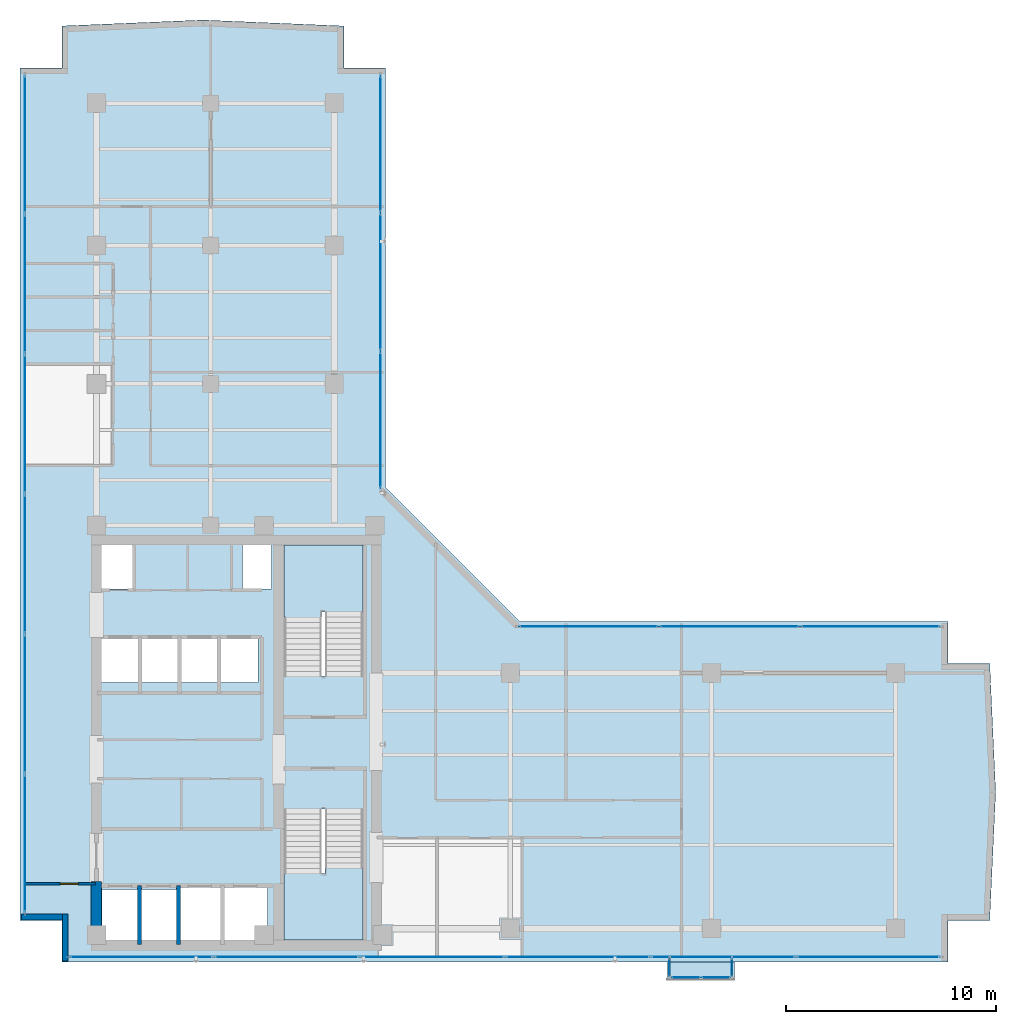
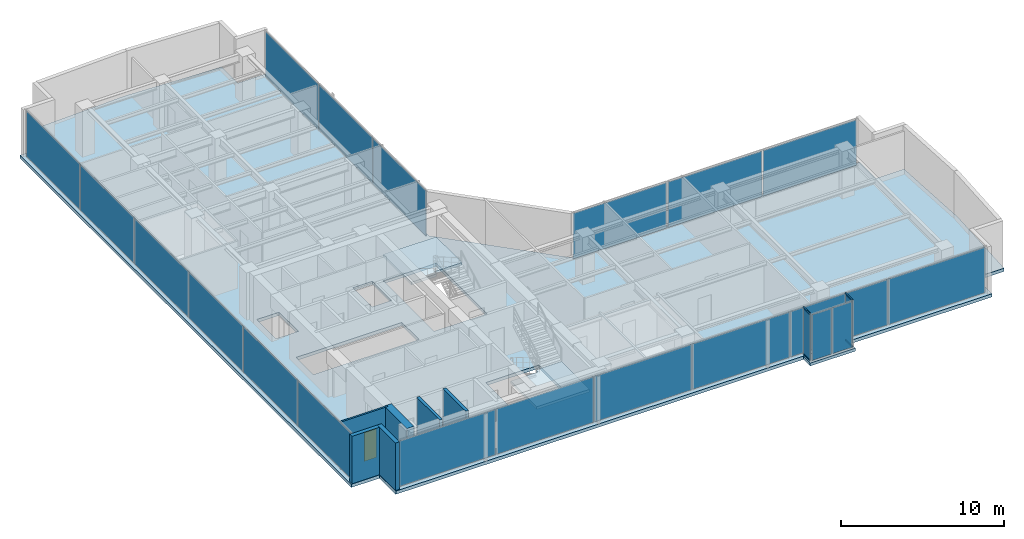
# One storey, part 16 of 24: 22 plates, 6 walls, 4 members, 4 slabs, 1 door, 1 opening, 9 elements without a shape of their own.
"""IFC4 building model written with IfcOpenShell, lengths in metres."""

from ifc_helpers import new_model, si_unit, direction, frame, frame_2d, origin, origin_with_axes, origin_2d, place, context, subcontext, project, spatial, polyline, rectangle, hollow_rectangle, outline, extrude, source, transform, mapped, material, layer, layer_set, material_profile, profile_set, type_object, element, fill, aggregate, save


model = new_model("IFC4")

# Units and contexts
model_context = context("Model", 3, precision=1e-05, world=origin(), true_north=direction((0.0, 1.0)))
body_context = subcontext(model_context, "Body", "Model", "MODEL_VIEW")
ifc_project = project(units=[si_unit("LENGTHUNIT", "METRE"), si_unit("AREAUNIT", "SQUARE_METRE"), si_unit("VOLUMEUNIT", "CUBIC_METRE"), si_unit("PLANEANGLEUNIT", "RADIAN"), si_unit("MASSUNIT", "GRAM", prefix="KILO")], contexts=[model_context])

# Site, building, storey
site_placement = place(None, origin())
site = spatial("IfcSite", under=ifc_project, at=site_placement, CompositionType="ELEMENT")
building_placement = place(site_placement, origin())
building = spatial("IfcBuilding", under=site, at=building_placement, Name="Kolvaren Waterfront Exchange", CompositionType="ELEMENT")
storey_placement = place(building_placement, frame((0.0, 0.0, 316.0)))
storey = spatial("IfcBuildingStorey", under=building, at=storey_placement, Name="L81", CompositionType="ELEMENT", Elevation=316.0)

# Curtain wall, members
ifc_material_1 = material(Name="Anodised bronze aluminium 6063-T6", Category="aluminium")
ifc_layer_1 = layer(ifc_material_1, 0.219970703125, Name="Anodised bronze aluminium 6063-T6")
ifc_layer_set_1 = layer_set([ifc_layer_1], Name="Anodised bronze aluminium 6063-T6")
curtain_wall_type_1 = type_object("IfcCurtainWallType", Name="ARC-CW-SYS3", PredefinedType="USERDEFINED", material=ifc_layer_set_1)
curtain_wall_1_placement = place(storey_placement, origin())
curtain_wall_1 = element("IfcCurtainWall", 1, at=curtain_wall_1_placement, inside=storey, type_object=curtain_wall_type_1, Name="L81 stick curtain wall CW3 (CW-L81-BOX-W)", ObjectType="STICK CURTAIN WALL", PredefinedType="USERDEFINED")
ifc_material_profile = material_profile(ifc_material_1, hollow_rectangle(XDim=0.06494140625, YDim=0.1298828125, WallThickness=0.00390625, at=origin_2d()), Name="ALU-TRN-130x65x4")
ifc_profile_set = profile_set([ifc_material_profile], Name="Anodised bronze aluminium 6063-T6")
member_type = type_object("IfcMemberType", Name="ARC-CWT-130", PredefinedType="USERDEFINED", material=ifc_profile_set)
shared_shape_1 = source(origin_with_axes(), body_context, "Body", "SweptSolid", [
    extrude(hollow_rectangle(XDim=0.06494140625, YDim=0.1298828125, WallThickness=0.00390625, at=origin_2d()), origin(), (0.0, 0.0, 1.0), 0.829833984375),
])
member_1_placement = place(storey_placement, frame((34.81005859375, 3.764892578125, 0.032470703125), z_axis=(0.0, -1.0, 0.0), x_axis=(1.0, 0.0, 0.0)))
member_1 = element("IfcMember", 2, at=member_1_placement, type_object=member_type, Name="CW3 transom 1.1", ObjectType="TRANSOM", PredefinedType="USERDEFINED", context=body_context, shape_type="MappedRepresentation", body=[
    mapped(shared_shape_1, transform((0.0, 0.0, 0.0), x_axis=(1.0, 0.0, 0.0), y_axis=(0.0, 1.0, 0.0), z_axis=(0.0, 0.0, 1.0), scale=1.0)),
])
member_2_placement = place(storey_placement, frame((34.81005859375, 3.764892578125, 3.527587890625), z_axis=(0.0, -1.0, 0.0), x_axis=(1.0, 0.0, 0.0)))
member_2 = element("IfcMember", 3, at=member_2_placement, type_object=member_type, Name="CW3 transom 1.2", ObjectType="TRANSOM", PredefinedType="USERDEFINED", context=body_context, shape_type="MappedRepresentation", body=[
    mapped(shared_shape_1, transform((0.0, 0.0, 0.0), x_axis=(1.0, 0.0, 0.0), y_axis=(0.0, 1.0, 0.0), z_axis=(0.0, 0.0, 1.0), scale=1.0)),
])

curtain_wall_2_placement = place(storey_placement, origin())
curtain_wall_2 = element("IfcCurtainWall", 4, at=curtain_wall_2_placement, inside=storey, type_object=curtain_wall_type_1, Name="L81 stick curtain wall CW3 (CW-L81-BOX-E)", ObjectType="STICK CURTAIN WALL", PredefinedType="USERDEFINED")
member_3_placement = place(storey_placement, frame((37.7900390625, 2.93505859375, 0.032470703125), z_axis=(0.0, 1.0, 0.0), x_axis=(-1.0, 0.0, 0.0)))
member_3 = element("IfcMember", 5, at=member_3_placement, type_object=member_type, Name="CW3 transom 1.1", ObjectType="TRANSOM", PredefinedType="USERDEFINED", context=body_context, shape_type="MappedRepresentation", body=[
    mapped(shared_shape_1, transform((0.0, 0.0, 0.0), x_axis=(1.0, 0.0, 0.0), y_axis=(0.0, 1.0, 0.0), z_axis=(0.0, 0.0, 1.0), scale=1.0)),
])
member_4_placement = place(storey_placement, frame((37.7900390625, 2.93505859375, 3.527587890625), z_axis=(0.0, 1.0, 0.0), x_axis=(-1.0, 0.0, 0.0)))
member_4 = element("IfcMember", 6, at=member_4_placement, type_object=member_type, Name="CW3 transom 1.2", ObjectType="TRANSOM", PredefinedType="USERDEFINED", context=body_context, shape_type="MappedRepresentation", body=[
    mapped(shared_shape_1, transform((0.0, 0.0, 0.0), x_axis=(1.0, 0.0, 0.0), y_axis=(0.0, 1.0, 0.0), z_axis=(0.0, 0.0, 1.0), scale=1.0)),
])

# Stair, slab
ifc_material_2 = material(Name="Concrete C40/50", Category="concrete")
stair_type = type_object("IfcStairType", Name="ARC-STAIR-3800", PredefinedType="HALF_TURN_STAIR", material=ifc_material_2)
stair_1_placement = place(storey_placement, origin())
stair_1 = element("IfcStair", 7, at=stair_1_placement, inside=storey, type_object=stair_type, Name="L81 Smoke-proof exit stair ST1", PredefinedType="HALF_TURN_STAIR")
ifc_layer_2 = layer(ifc_material_2, 0.199951171875, Name="Concrete C40/50")
ifc_layer_set_2 = layer_set([ifc_layer_2], Name="Concrete C40/50")
slab_type_1 = type_object("IfcSlabType", Name="STR-LANDING-200", PredefinedType="LANDING", material=ifc_layer_set_2)
slab_1_placement = place(storey_placement, frame((0.0, 0.0, 1.77587890625)))
slab_1 = element("IfcSlab", 8, at=slab_1_placement, type_object=slab_type_1, Name="ST1 landing 1", PredefinedType="LANDING", context=body_context, shape_type="SweptSolid", body=[
    extrude(outline(polyline([(16.39990234375, 7.840087890625), (16.39990234375, 4.64990234375), (20.159912109375, 4.64990234375), (20.159912109375, 8.10009765625), (18.360107421875, 8.10009765625), (18.360107421875, 7.840087890625), (16.39990234375, 7.840087890625)])), origin(), (0.0, 0.0, 1.0), 0.2001953125),
])
aggregate(stair_1, [slab_1])

stair_2_placement = place(storey_placement, origin())
stair_2 = element("IfcStair", 9, at=stair_2_placement, inside=storey, type_object=stair_type, Name="L81 Smoke-proof exit stair ST2", PredefinedType="HALF_TURN_STAIR")
slab_2_placement = place(storey_placement, frame((0.0, 0.0, 1.77587890625)))
slab_2 = element("IfcSlab", 10, at=slab_2_placement, type_object=slab_type_1, Name="ST2 landing 1", PredefinedType="LANDING", context=body_context, shape_type="SweptSolid", body=[
    extrude(outline(polyline([(20.159912109375, 20.31005859375), (20.159912109375, 23.5), (16.39990234375, 23.5), (16.39990234375, 20.050048828125), (18.199951171875, 20.050048828125), (18.199951171875, 20.31005859375), (20.159912109375, 20.31005859375)])), origin(), (0.0, 0.0, 1.0), 0.2001953125),
])
aggregate(stair_2, [slab_2])

# Slabs
ifc_layer_3 = layer(ifc_material_2, 0.239990234375, Name="Concrete C40/50")
ifc_layer_set_3 = layer_set([ifc_layer_3], Name="Concrete C40/50")
slab_type_2 = type_object("IfcSlabType", Name="STR-SLAB-240", PredefinedType="FLOOR", material=ifc_layer_set_3)
slab_3_placement = place(storey_placement, frame((0.0, 0.0, -0.239990234375)))
element("IfcSlab", 11, at=slab_3_placement, inside=storey, type_object=slab_type_2, Name="L81 structural floor slab", PredefinedType="FLOOR", context=body_context, shape_type="SweptSolid", body=[
    extrude(outline(polyline([(5.800048828125, 3.60009765625), (48.084228515625, 3.60009765625), (48.084228515625, 5.60009765625), (50.084228515625, 5.60009765625), (50.368408203125, 11.726318359375), (50.084228515625, 17.8525390625), (48.084228515625, 17.8525390625), (48.084228515625, 19.8525390625), (27.652587890625, 19.8525390625), (21.252685546875, 26.252685546875), (21.252685546875, 46.2841796875), (19.252685546875, 46.2841796875), (19.252685546875, 48.2841796875), (12.5263671875, 48.568359375), (5.800048828125, 48.2841796875), (5.800048828125, 46.2841796875), (3.800048828125, 46.2841796875), (3.800048828125, 5.60009765625), (5.800048828125, 5.60009765625), (5.800048828125, 3.60009765625)]), holes=[polyline([(11.320068359375, 7.260009765625), (15.610107421875, 7.260009765625), (15.610107421875, 4.5400390625), (7.719970703125, 4.5400390625), (7.719970703125, 7.06005859375), (11.320068359375, 7.06005859375), (11.320068359375, 7.260009765625)]), polyline([(20.159912109375, 10.89990234375), (20.159912109375, 4.64990234375), (16.39990234375, 4.64990234375), (16.39990234375, 10.89990234375), (20.159912109375, 10.89990234375)]), polyline([(7.669921875, 19.06005859375), (15.159912109375, 19.06005859375), (15.159912109375, 16.93994140625), (7.669921875, 16.93994140625), (7.669921875, 19.06005859375)]), polyline([(16.39990234375, 17.25), (16.39990234375, 23.5), (20.159912109375, 23.5), (20.159912109375, 17.25), (16.39990234375, 17.25)]), polyline([(7.60009765625, 23.780029296875), (9.179931640625, 23.780029296875), (9.179931640625, 21.419921875), (7.60009765625, 21.419921875), (7.60009765625, 23.780029296875)]), polyline([(14.419921875, 23.780029296875), (15.800048828125, 23.780029296875), (15.800048828125, 21.419921875), (14.419921875, 21.419921875), (14.419921875, 23.780029296875)])]), origin(), (0.0, 0.0, 1.0), 0.239990234375),
])
ifc_layer_4 = layer(ifc_material_2, 0.219970703125, Name="Concrete C40/50")
ifc_layer_set_4 = layer_set([ifc_layer_4], Name="Concrete C40/50")
slab_type_3 = type_object("IfcSlabType", Name="STR-TERR-220", PredefinedType="FLOOR", material=ifc_layer_set_4)
slab_4_placement = place(storey_placement, frame((0.0, 0.0, -0.219970703125)))
element("IfcSlab", 12, at=slab_4_placement, inside=storey, type_object=slab_type_3, Name="L81 projecting bay-box floor strip", PredefinedType="FLOOR", context=body_context, shape_type="SweptSolid", body=[
    extrude(outline(polyline([(34.699951171875, 2.75), (37.89990234375, 2.75), (37.89990234375, 3.60009765625), (34.699951171875, 3.60009765625), (34.699951171875, 2.75)])), origin(), (0.0, 0.0, 1.0), 0.219970703125),
])

# Plate
ifc_material_3 = material(Name="Bronze tinted bay-box vision glass", Category="aluminium")
ifc_layer_5 = layer(ifc_material_3, 0.02392578125, Name="Bronze tinted bay-box vision glass")
ifc_layer_set_5 = layer_set([ifc_layer_5], Name="Bronze tinted bay-box vision glass")
plate_type_1 = type_object("IfcPlateType", Name="ARC-CWP-24", PredefinedType="CURTAIN_PANEL", material=ifc_layer_set_5)
shared_shape_2 = source(origin_with_axes(), body_context, "Body", "SweptSolid", [
    extrude(rectangle(XDim=0.830078125, YDim=0.02392578125, at=origin_2d()), origin(), (0.0, 0.0, 1.0), 3.429931640625),
])
plate_1_placement = place(storey_placement, frame((34.81005859375, 3.35009765625, 0.06494140625), z_axis=(0.0, 0.0, 1.0), x_axis=(0.0, -1.0, 0.0)))
plate_1 = element("IfcPlate", 13, at=plate_1_placement, type_object=plate_type_1, Name="CW3 panel 1.1", PredefinedType="CURTAIN_PANEL", context=body_context, shape_type="MappedRepresentation", body=[
    mapped(shared_shape_2, transform((0.0, 0.0, 0.0), x_axis=(1.0, 0.0, 0.0), y_axis=(0.0, 1.0, 0.0), z_axis=(0.0, 0.0, 1.0), scale=1.0)),
])

aggregate(curtain_wall_1, [member_1, member_2, plate_1])

plate_2_placement = place(storey_placement, frame((37.7900390625, 3.35009765625, 0.06494140625), z_axis=(0.0, 0.0, 1.0), x_axis=(0.0, 1.0, 0.0)))
plate_2 = element("IfcPlate", 14, at=plate_2_placement, type_object=plate_type_1, Name="CW3 panel 1.1", PredefinedType="CURTAIN_PANEL", context=body_context, shape_type="MappedRepresentation", body=[
    mapped(shared_shape_2, transform((0.0, 0.0, 0.0), x_axis=(1.0, 0.0, 0.0), y_axis=(0.0, 1.0, 0.0), z_axis=(0.0, 0.0, 1.0), scale=1.0)),
])

aggregate(curtain_wall_2, [member_3, member_4, plate_2])

# Curtain wall, plates
curtain_wall_3_placement = place(storey_placement, origin())
curtain_wall_3 = element("IfcCurtainWall", 15, at=curtain_wall_3_placement, inside=storey, type_object=curtain_wall_type_1, Name="L81 stick curtain wall CW3 (CW-L81-BOX)", ObjectType="STICK CURTAIN WALL", PredefinedType="USERDEFINED")
shared_shape_3 = source(origin_with_axes(), body_context, "Body", "SweptSolid", [
    extrude(rectangle(XDim=1.37744140625, YDim=0.02392578125, at=origin_2d()), origin(), (0.0, 0.0, 1.0), 3.429931640625),
])
plate_3_placement = place(storey_placement, frame((35.57373046875, 2.860107421875, 0.06494140625), z_axis=(0.0, 0.0, 1.0), x_axis=(1.0, 0.0, 0.0)))
plate_3 = element("IfcPlate", 16, at=plate_3_placement, type_object=plate_type_1, Name="CW3 panel 1.1", PredefinedType="CURTAIN_PANEL", context=body_context, shape_type="MappedRepresentation", body=[
    mapped(shared_shape_3, transform((0.0, 0.0, 0.0), x_axis=(1.0, 0.0, 0.0), y_axis=(0.0, 1.0, 0.0), z_axis=(0.0, 0.0, 1.0), scale=1.0)),
])
plate_4_placement = place(storey_placement, frame((37.0263671875, 2.860107421875, 0.06494140625), z_axis=(0.0, 0.0, 1.0), x_axis=(1.0, 0.0, 0.0)))
plate_4 = element("IfcPlate", 17, at=plate_4_placement, type_object=plate_type_1, Name="CW3 panel 2.1", PredefinedType="CURTAIN_PANEL", context=body_context, shape_type="MappedRepresentation", body=[
    mapped(shared_shape_3, transform((0.0, 0.0, 0.0), x_axis=(1.0, 0.0, 0.0), y_axis=(0.0, 1.0, 0.0), z_axis=(0.0, 0.0, 1.0), scale=1.0)),
])
aggregate(curtain_wall_3, [plate_3, plate_4])

ifc_layer_6 = layer(ifc_material_1, 0.219970703125, Name="Anodised bronze aluminium 6063-T6")
ifc_layer_set_6 = layer_set([ifc_layer_6], Name="Anodised bronze aluminium 6063-T6")
curtain_wall_type_2 = type_object("IfcCurtainWallType", Name="ARC-CW-SYS1", PredefinedType="USERDEFINED", material=ifc_layer_set_6)
curtain_wall_4_placement = place(storey_placement, origin())
curtain_wall_4 = element("IfcCurtainWall", 18, at=curtain_wall_4_placement, inside=storey, type_object=curtain_wall_type_2, Name="L81 stick curtain wall CW1 (CW-L81-S)", ObjectType="STICK CURTAIN WALL", PredefinedType="USERDEFINED")
ifc_material_4 = material(Name="Bronze solar control vision glass", Category="aluminium")
ifc_layer_7 = layer(ifc_material_4, 0.028076171875, Name="Bronze solar control vision glass")
ifc_layer_set_7 = layer_set([ifc_layer_7], Name="Bronze solar control vision glass")
plate_type_2 = type_object("IfcPlateType", Name="ARC-CWP-28", PredefinedType="CURTAIN_PANEL", material=ifc_layer_set_7)
shared_shape_4 = source(origin_with_axes(), body_context, "Body", "SweptSolid", [
    extrude(rectangle(XDim=6.827392578125, YDim=0.028076171875, at=origin_2d()), origin(), (0.0, 0.0, 1.0), 3.409912109375),
])
plate_5_placement = place(storey_placement, frame((9.59375, 3.840087890625, 0.0751953125), z_axis=(0.0, 0.0, 1.0), x_axis=(1.0, 0.0, 0.0)))
plate_5 = element("IfcPlate", 19, at=plate_5_placement, type_object=plate_type_2, Name="CW1 panel 1.1", PredefinedType="CURTAIN_PANEL", context=body_context, shape_type="MappedRepresentation", body=[
    mapped(shared_shape_4, transform((0.0, 0.0, 0.0), x_axis=(1.0, 0.0, 0.0), y_axis=(0.0, 1.0, 0.0), z_axis=(0.0, 0.0, 1.0), scale=1.0)),
])
plate_6_placement = place(storey_placement, frame((44.29052734375, 3.840087890625, 0.0751953125), z_axis=(0.0, 0.0, 1.0), x_axis=(1.0, 0.0, 0.0)))
plate_6 = element("IfcPlate", 20, at=plate_6_placement, type_object=plate_type_2, Name="CW1 panel 6.1", PredefinedType="CURTAIN_PANEL", context=body_context, shape_type="MappedRepresentation", body=[
    mapped(shared_shape_4, transform((0.0, 0.0, 0.0), x_axis=(1.0, 0.0, 0.0), y_axis=(0.0, 1.0, 0.0), z_axis=(0.0, 0.0, 1.0), scale=1.0)),
])
shared_shape_5 = source(origin_with_axes(), body_context, "Body", "SweptSolid", [
    extrude(rectangle(XDim=6.867431640625, YDim=0.028076171875, at=origin_2d()), origin(), (0.0, 0.0, 1.0), 3.409912109375),
])
plate_7_placement = place(storey_placement, frame((16.52099609375, 3.840087890625, 0.0751953125), z_axis=(0.0, 0.0, 1.0), x_axis=(1.0, 0.0, 0.0)))
plate_7 = element("IfcPlate", 21, at=plate_7_placement, type_object=plate_type_2, Name="CW1 panel 2.1", PredefinedType="CURTAIN_PANEL", context=body_context, shape_type="MappedRepresentation", body=[
    mapped(shared_shape_5, transform((0.0, 0.0, 0.0), x_axis=(1.0, 0.0, 0.0), y_axis=(0.0, 1.0, 0.0), z_axis=(0.0, 0.0, 1.0), scale=1.0)),
])
plate_8_placement = place(storey_placement, frame((23.468505859375, 3.840087890625, 0.0751953125), z_axis=(0.0, 0.0, 1.0), x_axis=(1.0, 0.0, 0.0)))
plate_8 = element("IfcPlate", 22, at=plate_8_placement, type_object=plate_type_2, Name="CW1 panel 3.1", PredefinedType="CURTAIN_PANEL", context=body_context, shape_type="MappedRepresentation", body=[
    mapped(shared_shape_5, transform((0.0, 0.0, 0.0), x_axis=(1.0, 0.0, 0.0), y_axis=(0.0, 1.0, 0.0), z_axis=(0.0, 0.0, 1.0), scale=1.0)),
])
plate_9_placement = place(storey_placement, frame((30.415771484375, 3.840087890625, 0.0751953125), z_axis=(0.0, 0.0, 1.0), x_axis=(1.0, 0.0, 0.0)))
plate_9 = element("IfcPlate", 23, at=plate_9_placement, type_object=plate_type_2, Name="CW1 panel 4.1", PredefinedType="CURTAIN_PANEL", context=body_context, shape_type="MappedRepresentation", body=[
    mapped(shared_shape_5, transform((0.0, 0.0, 0.0), x_axis=(1.0, 0.0, 0.0), y_axis=(0.0, 1.0, 0.0), z_axis=(0.0, 0.0, 1.0), scale=1.0)),
])
plate_10_placement = place(storey_placement, frame((37.363037109375, 3.840087890625, 0.0751953125), z_axis=(0.0, 0.0, 1.0), x_axis=(1.0, 0.0, 0.0)))
plate_10 = element("IfcPlate", 24, at=plate_10_placement, type_object=plate_type_2, Name="CW1 panel 5.1", PredefinedType="CURTAIN_PANEL", context=body_context, shape_type="MappedRepresentation", body=[
    mapped(shared_shape_5, transform((0.0, 0.0, 0.0), x_axis=(1.0, 0.0, 0.0), y_axis=(0.0, 1.0, 0.0), z_axis=(0.0, 0.0, 1.0), scale=1.0)),
])
aggregate(curtain_wall_4, [plate_5, plate_7, plate_8, plate_9, plate_10, plate_6])

ifc_material_5 = material(Name="Anodised aluminium 6063-T6", Category="aluminium")
ifc_layer_8 = layer(ifc_material_5, 0.219970703125, Name="Anodised aluminium 6063-T6")
ifc_layer_set_8 = layer_set([ifc_layer_8], Name="Anodised aluminium 6063-T6")
curtain_wall_type_3 = type_object("IfcCurtainWallType", Name="ARC-CW-SYS2", PredefinedType="USERDEFINED", material=ifc_layer_set_8)
curtain_wall_5_placement = place(storey_placement, origin())
curtain_wall_5 = element("IfcCurtainWall", 25, at=curtain_wall_5_placement, inside=storey, type_object=curtain_wall_type_3, Name="L81 stick curtain wall CW2 (CW-L81-W)", ObjectType="STICK CURTAIN WALL", PredefinedType="USERDEFINED")
ifc_material_6 = material(Name="Acoustic laminated vision glass", Category="glass")
ifc_layer_9 = layer(ifc_material_6, 0.031982421875, Name="Acoustic laminated vision glass")
ifc_layer_set_9 = layer_set([ifc_layer_9], Name="Acoustic laminated vision glass")
plate_type_3 = type_object("IfcPlateType", Name="ARC-CWP-32", PredefinedType="CURTAIN_PANEL", material=ifc_layer_set_9)
shared_shape_6 = source(origin_with_axes(), body_context, "Body", "SweptSolid", [
    extrude(rectangle(XDim=6.560791015625, YDim=0.031982421875, at=origin_2d()), origin(), (0.0, 0.0, 1.0), 3.409912109375),
])
plate_11_placement = place(storey_placement, frame((4.0400390625, 9.26025390625, 0.0751953125), z_axis=(0.0, 0.0, 1.0), x_axis=(0.0, 1.0, 0.0)))
plate_11 = element("IfcPlate", 26, at=plate_11_placement, type_object=plate_type_3, Name="CW2 panel 1.1", PredefinedType="CURTAIN_PANEL", context=body_context, shape_type="MappedRepresentation", body=[
    mapped(shared_shape_6, transform((0.0, 0.0, 0.0), x_axis=(1.0, 0.0, 0.0), y_axis=(0.0, 1.0, 0.0), z_axis=(0.0, 0.0, 1.0), scale=1.0)),
])
plate_12_placement = place(storey_placement, frame((4.0400390625, 42.623779296875, 0.0751953125), z_axis=(0.0, 0.0, 1.0), x_axis=(0.0, 1.0, 0.0)))
plate_12 = element("IfcPlate", 27, at=plate_12_placement, type_object=plate_type_3, Name="CW2 panel 6.1", PredefinedType="CURTAIN_PANEL", context=body_context, shape_type="MappedRepresentation", body=[
    mapped(shared_shape_6, transform((0.0, 0.0, 0.0), x_axis=(1.0, 0.0, 0.0), y_axis=(0.0, 1.0, 0.0), z_axis=(0.0, 0.0, 1.0), scale=1.0)),
])
shared_shape_7 = source(origin_with_axes(), body_context, "Body", "SweptSolid", [
    extrude(rectangle(XDim=6.6005859375, YDim=0.031982421875, at=origin_2d()), origin(), (0.0, 0.0, 1.0), 3.409912109375),
])
plate_13_placement = place(storey_placement, frame((4.0400390625, 15.921142578125, 0.0751953125), z_axis=(0.0, 0.0, 1.0), x_axis=(0.0, 1.0, 0.0)))
plate_13 = element("IfcPlate", 28, at=plate_13_placement, type_object=plate_type_3, Name="CW2 panel 2.1", PredefinedType="CURTAIN_PANEL", context=body_context, shape_type="MappedRepresentation", body=[
    mapped(shared_shape_7, transform((0.0, 0.0, 0.0), x_axis=(1.0, 0.0, 0.0), y_axis=(0.0, 1.0, 0.0), z_axis=(0.0, 0.0, 1.0), scale=1.0)),
])
plate_14_placement = place(storey_placement, frame((4.0400390625, 22.601806640625, 0.0751953125), z_axis=(0.0, 0.0, 1.0), x_axis=(0.0, 1.0, 0.0)))
plate_14 = element("IfcPlate", 29, at=plate_14_placement, type_object=plate_type_3, Name="CW2 panel 3.1", PredefinedType="CURTAIN_PANEL", context=body_context, shape_type="MappedRepresentation", body=[
    mapped(shared_shape_7, transform((0.0, 0.0, 0.0), x_axis=(1.0, 0.0, 0.0), y_axis=(0.0, 1.0, 0.0), z_axis=(0.0, 0.0, 1.0), scale=1.0)),
])
plate_15_placement = place(storey_placement, frame((4.0400390625, 29.282470703125, 0.0751953125), z_axis=(0.0, 0.0, 1.0), x_axis=(0.0, 1.0, 0.0)))
plate_15 = element("IfcPlate", 30, at=plate_15_placement, type_object=plate_type_3, Name="CW2 panel 4.1", PredefinedType="CURTAIN_PANEL", context=body_context, shape_type="MappedRepresentation", body=[
    mapped(shared_shape_7, transform((0.0, 0.0, 0.0), x_axis=(1.0, 0.0, 0.0), y_axis=(0.0, 1.0, 0.0), z_axis=(0.0, 0.0, 1.0), scale=1.0)),
])
plate_16_placement = place(storey_placement, frame((4.0400390625, 35.963134765625, 0.0751953125), z_axis=(0.0, 0.0, 1.0), x_axis=(0.0, 1.0, 0.0)))
plate_16 = element("IfcPlate", 31, at=plate_16_placement, type_object=plate_type_3, Name="CW2 panel 5.1", PredefinedType="CURTAIN_PANEL", context=body_context, shape_type="MappedRepresentation", body=[
    mapped(shared_shape_7, transform((0.0, 0.0, 0.0), x_axis=(1.0, 0.0, 0.0), y_axis=(0.0, 1.0, 0.0), z_axis=(0.0, 0.0, 1.0), scale=1.0)),
])
aggregate(curtain_wall_5, [plate_11, plate_13, plate_14, plate_15, plate_16, plate_12])

curtain_wall_6_placement = place(storey_placement, origin())
curtain_wall_6 = element("IfcCurtainWall", 32, at=curtain_wall_6_placement, inside=storey, type_object=curtain_wall_type_2, Name="L81 stick curtain wall CW1 (CW-L81-NE)", ObjectType="STICK CURTAIN WALL", PredefinedType="USERDEFINED")
shared_shape_8 = source(origin_with_axes(), body_context, "Body", "SweptSolid", [
    extrude(rectangle(XDim=6.493896484375, YDim=0.028076171875, at=origin_2d()), origin(), (0.0, 0.0, 1.0), 3.409912109375),
])
plate_17_placement = place(storey_placement, frame((21.0126953125, 29.469482421875, 0.0751953125), z_axis=(0.0, 0.0, 1.0), x_axis=(0.0, 1.0, 0.0)))
plate_17 = element("IfcPlate", 33, at=plate_17_placement, type_object=plate_type_2, Name="CW1 panel 1.1", PredefinedType="CURTAIN_PANEL", context=body_context, shape_type="MappedRepresentation", body=[
    mapped(shared_shape_8, transform((0.0, 0.0, 0.0), x_axis=(1.0, 0.0, 0.0), y_axis=(0.0, 1.0, 0.0), z_axis=(0.0, 0.0, 1.0), scale=1.0)),
])
plate_18_placement = place(storey_placement, frame((21.0126953125, 42.6572265625, 0.0751953125), z_axis=(0.0, 0.0, 1.0), x_axis=(0.0, 1.0, 0.0)))
plate_18 = element("IfcPlate", 34, at=plate_18_placement, type_object=plate_type_2, Name="CW1 panel 3.1", PredefinedType="CURTAIN_PANEL", context=body_context, shape_type="MappedRepresentation", body=[
    mapped(shared_shape_8, transform((0.0, 0.0, 0.0), x_axis=(1.0, 0.0, 0.0), y_axis=(0.0, 1.0, 0.0), z_axis=(0.0, 0.0, 1.0), scale=1.0)),
])
shared_shape_9 = source(origin_with_axes(), body_context, "Body", "SweptSolid", [
    extrude(rectangle(XDim=6.533935546875, YDim=0.028076171875, at=origin_2d()), origin(), (0.0, 0.0, 1.0), 3.409912109375),
])
plate_19_placement = place(storey_placement, frame((21.0126953125, 36.0634765625, 0.0751953125), z_axis=(0.0, 0.0, 1.0), x_axis=(0.0, 1.0, 0.0)))
plate_19 = element("IfcPlate", 35, at=plate_19_placement, type_object=plate_type_2, Name="CW1 panel 2.1", PredefinedType="CURTAIN_PANEL", context=body_context, shape_type="MappedRepresentation", body=[
    mapped(shared_shape_9, transform((0.0, 0.0, 0.0), x_axis=(1.0, 0.0, 0.0), y_axis=(0.0, 1.0, 0.0), z_axis=(0.0, 0.0, 1.0), scale=1.0)),
])
aggregate(curtain_wall_6, [plate_17, plate_19, plate_18])

curtain_wall_7_placement = place(storey_placement, origin())
curtain_wall_7 = element("IfcCurtainWall", 36, at=curtain_wall_7_placement, inside=storey, type_object=curtain_wall_type_2, Name="L81 stick curtain wall CW1 (CW-L81-EN)", ObjectType="STICK CURTAIN WALL", PredefinedType="USERDEFINED")
shared_shape_10 = source(origin_with_axes(), body_context, "Body", "SweptSolid", [
    extrude(rectangle(XDim=6.627197265625, YDim=0.028076171875, at=origin_2d()), origin(), (0.0, 0.0, 1.0), 3.409912109375),
])
plate_20_placement = place(storey_placement, frame((30.936279296875, 19.612548828125, 0.0751953125), z_axis=(0.0, 0.0, 1.0), x_axis=(1.0, 0.0, 0.0)))
plate_20 = element("IfcPlate", 37, at=plate_20_placement, type_object=plate_type_2, Name="CW1 panel 1.1", PredefinedType="CURTAIN_PANEL", context=body_context, shape_type="MappedRepresentation", body=[
    mapped(shared_shape_10, transform((0.0, 0.0, 0.0), x_axis=(1.0, 0.0, 0.0), y_axis=(0.0, 1.0, 0.0), z_axis=(0.0, 0.0, 1.0), scale=1.0)),
])
plate_21_placement = place(storey_placement, frame((44.390625, 19.612548828125, 0.0751953125), z_axis=(0.0, 0.0, 1.0), x_axis=(1.0, 0.0, 0.0)))
plate_21 = element("IfcPlate", 38, at=plate_21_placement, type_object=plate_type_2, Name="CW1 panel 3.1", PredefinedType="CURTAIN_PANEL", context=body_context, shape_type="MappedRepresentation", body=[
    mapped(shared_shape_10, transform((0.0, 0.0, 0.0), x_axis=(1.0, 0.0, 0.0), y_axis=(0.0, 1.0, 0.0), z_axis=(0.0, 0.0, 1.0), scale=1.0)),
])
shared_shape_11 = source(origin_with_axes(), body_context, "Body", "SweptSolid", [
    extrude(rectangle(XDim=6.667236328125, YDim=0.028076171875, at=origin_2d()), origin(), (0.0, 0.0, 1.0), 3.409912109375),
])
plate_22_placement = place(storey_placement, frame((37.663330078125, 19.612548828125, 0.0751953125), z_axis=(0.0, 0.0, 1.0), x_axis=(1.0, 0.0, 0.0)))
plate_22 = element("IfcPlate", 39, at=plate_22_placement, type_object=plate_type_2, Name="CW1 panel 2.1", PredefinedType="CURTAIN_PANEL", context=body_context, shape_type="MappedRepresentation", body=[
    mapped(shared_shape_11, transform((0.0, 0.0, 0.0), x_axis=(1.0, 0.0, 0.0), y_axis=(0.0, 1.0, 0.0), z_axis=(0.0, 0.0, 1.0), scale=1.0)),
])
aggregate(curtain_wall_7, [plate_20, plate_22, plate_21])

# Walls
ifc_material_7 = material(Name="Precast concrete C40/50", Category="concrete")
ifc_layer_10 = layer(ifc_material_7, 0.280029296875, Name="Precast concrete C40/50")
ifc_layer_set_10 = layer_set([ifc_layer_10], Name="Precast concrete C40/50")
wall_type_1 = type_object("IfcWallType", Name="ARC-EXT-TERR-280", PredefinedType="SOLIDWALL", material=ifc_layer_set_10)
wall_1_placement = place(storey_placement, frame((5.9599609375, 3.659912109375, 0.0), z_axis=(0.0, 0.0, 1.0), x_axis=(0.0, 1.0, 0.0)))
element("IfcWall", 40, at=wall_1_placement, inside=storey, type_object=wall_type_1, Name="L81 notched corner spandrel pier SW-A", PredefinedType="SOLIDWALL", context=body_context, shape_type="SweptSolid", body=[
    extrude(rectangle(XDim=2.239990234375, YDim=0.280029296875, at=frame_2d((1.1201171875, 0.0))), origin(), (0.0, 0.0, 1.0), 3.56005859375),
])
wall_2_placement = place(storey_placement, frame((3.860107421875, 5.760009765625, 0.0), z_axis=(0.0, 0.0, 1.0), x_axis=(1.0, 0.0, 0.0)))
element("IfcWall", 41, at=wall_2_placement, inside=storey, type_object=wall_type_1, Name="L81 notched corner spandrel pier SW-B", PredefinedType="SOLIDWALL", context=body_context, shape_type="SweptSolid", body=[
    extrude(rectangle(XDim=1.9599609375, YDim=0.280029296875, at=frame_2d((0.97998046875, 0.0))), origin(), (0.0, 0.0, 1.0), 3.56005859375),
])

# Wall, opening, door
ifc_material_8 = material(Name="Acoustic gypsum steel stud", Category="steel")
ifc_layer_11 = layer(ifc_material_8, 0.125, Name="Acoustic gypsum steel stud")
ifc_layer_set_11 = layer_set([ifc_layer_11], Name="Acoustic gypsum steel stud")
wall_type_2 = type_object("IfcWallType", Name="ARC-PART-125", PredefinedType="PARTITIONING", material=ifc_layer_set_11)
wall_3_placement = place(storey_placement, frame((4.0400390625, 7.35009765625, 0.0), z_axis=(0.0, 0.0, 1.0), x_axis=(1.0, 0.0, 0.0)))
wall_3 = element("IfcWall", 42, at=wall_3_placement, inside=storey, type_object=wall_type_2, Name="L81 interior wall PW-L81-SWC-N", PredefinedType="PARTITIONING", context=body_context, shape_type="SweptSolid", body=[
    extrude(rectangle(XDim=3.35986328125, YDim=0.125, at=frame_2d((1.679931640625, 0.0))), origin(), (0.0, 0.0, 1.0), 3.56005859375),
])
opening_placement = place(wall_3_placement, frame((1.686767578125, 0.0, 0.0)))
opening = element("IfcOpeningElement", 43, at=opening_placement, cuts=wall_3, Name="Opening D01", PredefinedType="OPENING", context=body_context, shape_type="SweptSolid", body=[
    extrude(rectangle(XDim=0.85009765625, YDim=2.14990234375, at=frame_2d((0.425048828125, 1.074951171875))), frame((0.0, 0.072509765625, 0.0), z_axis=(0.0, -1.0, 0.0), x_axis=(1.0, 0.0, 0.0)), (0.0, 0.0, 1.0), 0.14501953125),
])
ifc_material_9 = material(Name="Oak veneer timber leaf", Category="wood")
door_type = type_object("IfcDoorType", Name="ARC-DR-900", OperationType="NOTDEFINED", PredefinedType="DOOR", material=ifc_material_9)
door_placement = place(opening_placement, origin())
door = element("IfcDoor", 44, at=door_placement, inside=storey, type_object=door_type, Name="L81 door DR-L81-SWC-D (D01)", OperationType="SINGLE_SWING_LEFT", OverallHeight=2.14990234375, OverallWidth=0.85009765625, PredefinedType="DOOR", context=body_context, shape_type="SweptSolid", body=[
    extrude(rectangle(XDim=0.85009765625, YDim=2.14990234375, at=frame_2d((0.425048828125, 1.074951171875))), frame((0.0, 0.02490234375, 0.0), z_axis=(0.0, -1.0, 0.0), x_axis=(1.0, 0.0, 0.0)), (0.0, 0.0, 1.0), 0.050048828125),
])
fill(opening, door)

# Walls
ifc_layer_12 = layer(ifc_material_2, 0.199951171875, Name="Concrete C40/50")
ifc_layer_set_12 = layer_set([ifc_layer_12], Name="Concrete C40/50")
wall_type_3 = type_object("IfcWallType", Name="ARC-SHAFT-200", PredefinedType="PARTITIONING", material=ifc_layer_set_12)
for number, where, z_axis, x_axis, name in (
    (45, (9.5, 4.449951171875, 0.0), (0.0, 0.0, 1.0), (0.0, 1.0, 0.0), "L81 interior wall PW-L81-SH1-DIV-95"),
    (46, (11.360107421875, 4.449951171875, 0.0), (0.0, 0.0, 1.0), (0.0, 1.0, 0.0), "L81 interior wall PW-L81-SH1-DIV-113"),
):
    element("IfcWall", number, at=place(storey_placement, frame(where, z_axis=z_axis, x_axis=x_axis)), inside=storey, type_object=wall_type_3, Name=name, PredefinedType="PARTITIONING", context=body_context, shape_type="SweptSolid", body=[
        extrude(rectangle(XDim=2.800048828125, YDim=0.199951171875, at=frame_2d((1.39990234375, 0.0))), origin(), (0.0, 0.0, 1.0), 3.56005859375),
    ])
ifc_material_10 = material(Name="Concrete C50/60", Category="concrete")
ifc_layer_13 = layer(ifc_material_10, 0.5, Name="Concrete C50/60")
ifc_layer_set_13 = layer_set([ifc_layer_13], Name="Concrete C50/60")
wall_type_4 = type_object("IfcWallType", Name="STR-CWALL-500", PredefinedType="SHEAR", material=ifc_layer_set_13)
wall_4_placement = place(storey_placement, frame((7.449951171875, 4.64990234375, 0.0), z_axis=(0.0, 0.0, 1.0), x_axis=(0.0, 1.0, 0.0)))
element("IfcWall", 47, at=wall_4_placement, inside=storey, type_object=wall_type_4, Name="L81 rear-core shear wall W1", PredefinedType="SHEAR", context=body_context, shape_type="SweptSolid", body=[
    extrude(rectangle(XDim=2.800048828125, YDim=0.5, at=frame_2d((1.39990234375, 0.0))), origin(), (0.0, 0.0, 1.0), 3.56005859375),
])

save(model, "model.ifc")
